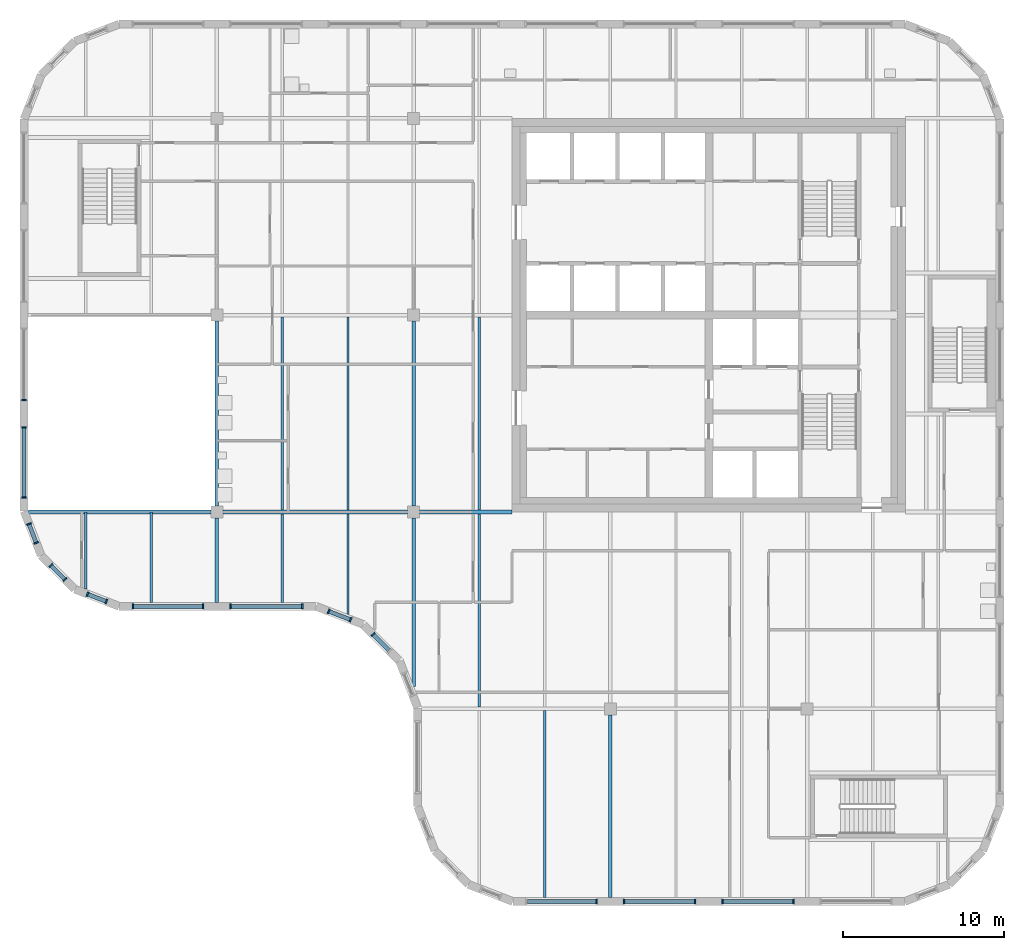
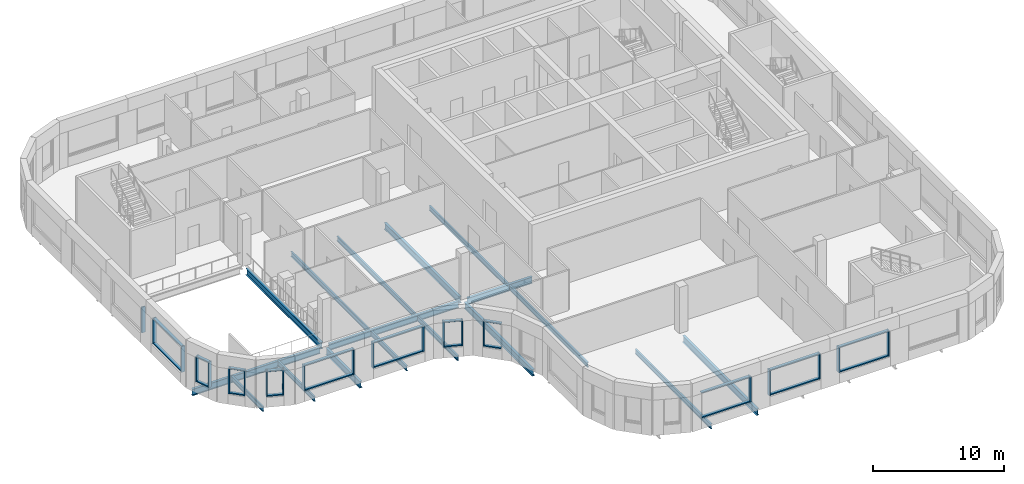
# One storey, part 2 of 21: 43 members, 17 beams, 12 elements without a shape of their own.
"""IFC4 building model written with IfcOpenShell, lengths in metres."""

from ifc_helpers import new_model, si_unit, direction, frame, origin, origin_2d, place, context, subcontext, project, spatial, rectangle, i_section, extrude, material, material_profile, profile_set, type_object, element, aggregate, save


model = new_model("IFC4")

# Units and contexts
model_context = context("Model", 3, precision=1e-05, world=origin(), true_north=direction((0.0, 1.0)))
body_context = subcontext(model_context, "Body", "Model", "MODEL_VIEW")
ifc_project = project(units=[si_unit("LENGTHUNIT", "METRE"), si_unit("AREAUNIT", "SQUARE_METRE"), si_unit("VOLUMEUNIT", "CUBIC_METRE"), si_unit("PLANEANGLEUNIT", "RADIAN"), si_unit("MASSUNIT", "GRAM", prefix="KILO")], contexts=[model_context])

# Site, building, storey
site_placement = place(None, origin())
site = spatial("IfcSite", under=ifc_project, at=site_placement, CompositionType="ELEMENT")
building_placement = place(site_placement, origin())
building = spatial("IfcBuilding", under=site, at=building_placement, Name="Tessera Gate Towers", CompositionType="ELEMENT")
storey_placement = place(building_placement, frame((0.0, 0.0, 193.39990234375)))
storey = spatial("IfcBuildingStorey", under=building, at=storey_placement, Name="L48", CompositionType="ELEMENT", Elevation=193.39990234375)

# Beams
ifc_material_1 = material(Name="Steel 350W", Category="steel")
ifc_material_profile_1 = material_profile(ifc_material_1, i_section(OverallWidth=0.22802734375, OverallDepth=0.60302734375, WebThickness=0.010498046875, FlangeThickness=0.014892578125, at=origin_2d()), Name="W610x101")
ifc_profile_set_1 = profile_set([ifc_material_profile_1], Name="Steel 350W")
beam_type_1 = type_object("IfcBeamType", Name="FLOOR GIRDER W610x101", PredefinedType="BEAM", material=ifc_profile_set_1)
beam_1_placement = place(storey_placement, frame((0.534912109375, 24.39990234375, -0.551513671875), z_axis=(1.0, 0.0, 0.0), x_axis=(0.0, 1.0, 0.0)))
element("IfcBeam", 1, at=beam_1_placement, inside=storey, type_object=beam_type_1, Name="T1-GD-L48-5111", PredefinedType="BEAM", context=body_context, shape_type="SweptSolid", body=[
    extrude(i_section(OverallWidth=0.22802734375, OverallDepth=0.60302734375, WebThickness=0.010498046875, FlangeThickness=0.014892578125, at=origin_2d()), origin(), (0.0, 0.0, 1.0), 11.2900390625),
])
beam_2_placement = place(storey_placement, frame((12.574951171875, 24.39990234375, -0.551513671875), z_axis=(1.0, 0.0, 0.0), x_axis=(0.0, 1.0, 0.0)))
element("IfcBeam", 2, at=beam_2_placement, inside=storey, type_object=beam_type_1, Name="T1-GD-L48-5112", PredefinedType="BEAM", context=body_context, shape_type="SweptSolid", body=[
    extrude(i_section(OverallWidth=0.22802734375, OverallDepth=0.60302734375, WebThickness=0.010498046875, FlangeThickness=0.014892578125, at=origin_2d()), origin(), (0.0, 0.0, 1.0), 11.449951171875),
])
beam_3_placement = place(storey_placement, frame((24.77490234375, 24.39990234375, -0.551513671875), z_axis=(1.0, 0.0, 0.0), x_axis=(0.0, 1.0, 0.0)))
element("IfcBeam", 3, at=beam_3_placement, inside=storey, type_object=beam_type_1, Name="T1-GD-L48-5113", PredefinedType="BEAM", context=body_context, shape_type="SweptSolid", body=[
    extrude(i_section(OverallWidth=0.22802734375, OverallDepth=0.60302734375, WebThickness=0.010498046875, FlangeThickness=0.014892578125, at=origin_2d()), origin(), (0.0, 0.0, 1.0), 5.72412109375),
])
beam_4_placement = place(storey_placement, frame((12.199951171875, 18.799072265625, -0.551513671875), z_axis=(0.0, 1.0, 0.0), x_axis=(-1.0, 0.0, 0.0)))
element("IfcBeam", 4, at=beam_4_placement, inside=storey, type_object=beam_type_1, Name="T1-GD-L48-5123", PredefinedType="BEAM", context=body_context, shape_type="SweptSolid", body=[
    extrude(i_section(OverallWidth=0.22802734375, OverallDepth=0.60302734375, WebThickness=0.010498046875, FlangeThickness=0.014892578125, at=origin_2d()), origin(), (0.0, 0.0, 1.0), 5.225830078125),
])
beam_5_placement = place(storey_placement, frame((12.199951171875, 24.77490234375, -0.551513671875), z_axis=(0.0, 1.0, 0.0), x_axis=(-1.0, 0.0, 0.0)))
element("IfcBeam", 5, at=beam_5_placement, inside=storey, type_object=beam_type_1, Name="T1-GD-L48-5124", PredefinedType="BEAM", context=body_context, shape_type="SweptSolid", body=[
    extrude(i_section(OverallWidth=0.22802734375, OverallDepth=0.60302734375, WebThickness=0.010498046875, FlangeThickness=0.014892578125, at=origin_2d()), origin(), (0.0, 0.0, 1.0), 11.4501953125),
])
beam_6_placement = place(storey_placement, frame((24.39990234375, 13.58642578125, -0.551513671875), z_axis=(0.0, 1.0, 0.0), x_axis=(-1.0, 0.0, 0.0)))
element("IfcBeam", 6, at=beam_6_placement, inside=storey, type_object=beam_type_1, Name="T1-GD-L48-5127", PredefinedType="BEAM", context=body_context, shape_type="SweptSolid", body=[
    extrude(i_section(OverallWidth=0.22802734375, OverallDepth=0.60302734375, WebThickness=0.010498046875, FlangeThickness=0.014892578125, at=origin_2d()), origin(), (0.0, 0.0, 1.0), 10.4384765625),
])
beam_7_placement = place(storey_placement, frame((24.39990234375, 24.77490234375, -0.551513671875), z_axis=(0.0, 1.0, 0.0), x_axis=(-1.0, 0.0, 0.0)))
element("IfcBeam", 7, at=beam_7_placement, inside=storey, type_object=beam_type_1, Name="T1-GD-L48-5128", PredefinedType="BEAM", context=body_context, shape_type="SweptSolid", body=[
    extrude(i_section(OverallWidth=0.22802734375, OverallDepth=0.60302734375, WebThickness=0.010498046875, FlangeThickness=0.014892578125, at=origin_2d()), origin(), (0.0, 0.0, 1.0), 11.4501953125),
])
beam_8_placement = place(storey_placement, frame((36.60009765625, 0.4990234375, -0.551513671875), z_axis=(0.0, 1.0, 0.0), x_axis=(-1.0, 0.0, 0.0)))
element("IfcBeam", 8, at=beam_8_placement, inside=storey, type_object=beam_type_1, Name="T1-GD-L48-5131", PredefinedType="BEAM", context=body_context, shape_type="SweptSolid", body=[
    extrude(i_section(OverallWidth=0.22802734375, OverallDepth=0.60302734375, WebThickness=0.010498046875, FlangeThickness=0.014892578125, at=origin_2d()), origin(), (0.0, 0.0, 1.0), 11.325927734375),
])
ifc_material_2 = material(Name="Steel 350W", Category="steel")
ifc_material_profile_2 = material_profile(ifc_material_2, i_section(OverallWidth=0.153076171875, OverallDepth=0.455078125, WebThickness=0.008056640625, FlangeThickness=0.01318359375, at=origin_2d()), Name="W460x60")
ifc_profile_set_2 = profile_set([ifc_material_profile_2], Name="Steel 350W")
beam_type_2 = type_object("IfcBeamType", Name="FLOOR SECONDARY W460x60", PredefinedType="BEAM", material=ifc_profile_set_2)
beam_9_placement = place(storey_placement, frame((4.066650390625, 19.620361328125, -0.477294921875), z_axis=(0.0, 1.0, 0.0), x_axis=(-1.0, 0.0, 0.0)))
element("IfcBeam", 9, at=beam_9_placement, inside=storey, type_object=beam_type_2, Name="T1-BM-L48-5142", PredefinedType="BEAM", context=body_context, shape_type="SweptSolid", body=[
    extrude(i_section(OverallWidth=0.153076171875, OverallDepth=0.455078125, WebThickness=0.008056640625, FlangeThickness=0.01318359375, at=origin_2d()), origin(), (0.0, 0.0, 1.0), 4.779541015625),
])
beam_10_placement = place(storey_placement, frame((8.13330078125, 18.800048828125, -0.477294921875), z_axis=(0.0, 1.0, 0.0), x_axis=(-1.0, 0.0, 0.0)))
element("IfcBeam", 10, at=beam_10_placement, inside=storey, type_object=beam_type_2, Name="T1-BM-L48-5145", PredefinedType="BEAM", context=body_context, shape_type="SweptSolid", body=[
    extrude(i_section(OverallWidth=0.153076171875, OverallDepth=0.455078125, WebThickness=0.008056640625, FlangeThickness=0.01318359375, at=origin_2d()), origin(), (0.0, 0.0, 1.0), 5.599853515625),
])
beam_11_placement = place(storey_placement, frame((16.2666015625, 18.800048828125, -0.477294921875), z_axis=(0.0, 1.0, 0.0), x_axis=(-1.0, 0.0, 0.0)))
element("IfcBeam", 11, at=beam_11_placement, inside=storey, type_object=beam_type_2, Name="T1-BM-L48-5148", PredefinedType="BEAM", context=body_context, shape_type="SweptSolid", body=[
    extrude(i_section(OverallWidth=0.153076171875, OverallDepth=0.455078125, WebThickness=0.008056640625, FlangeThickness=0.01318359375, at=origin_2d()), origin(), (0.0, 0.0, 1.0), 5.48583984375),
])
beam_12_placement = place(storey_placement, frame((16.2666015625, 24.513916015625, -0.477294921875), z_axis=(0.0, 1.0, 0.0), x_axis=(-1.0, 0.0, 0.0)))
element("IfcBeam", 12, at=beam_12_placement, inside=storey, type_object=beam_type_2, Name="T1-BM-L48-5149", PredefinedType="BEAM", context=body_context, shape_type="SweptSolid", body=[
    extrude(i_section(OverallWidth=0.153076171875, OverallDepth=0.455078125, WebThickness=0.008056640625, FlangeThickness=0.01318359375, at=origin_2d()), origin(), (0.0, 0.0, 1.0), 11.97216796875),
])
beam_13_placement = place(storey_placement, frame((20.333251953125, 18.051513671875, -0.477294921875), z_axis=(0.0, 1.0, 0.0), x_axis=(-1.0, 0.0, 0.0)))
element("IfcBeam", 13, at=beam_13_placement, inside=storey, type_object=beam_type_2, Name="T1-BM-L48-5152", PredefinedType="BEAM", context=body_context, shape_type="SweptSolid", body=[
    extrude(i_section(OverallWidth=0.153076171875, OverallDepth=0.455078125, WebThickness=0.008056640625, FlangeThickness=0.01318359375, at=origin_2d()), origin(), (0.0, 0.0, 1.0), 6.234375),
])
beam_14_placement = place(storey_placement, frame((20.333251953125, 24.513916015625, -0.477294921875), z_axis=(0.0, 1.0, 0.0), x_axis=(-1.0, 0.0, 0.0)))
element("IfcBeam", 14, at=beam_14_placement, inside=storey, type_object=beam_type_2, Name="T1-BM-L48-5153", PredefinedType="BEAM", context=body_context, shape_type="SweptSolid", body=[
    extrude(i_section(OverallWidth=0.153076171875, OverallDepth=0.455078125, WebThickness=0.008056640625, FlangeThickness=0.01318359375, at=origin_2d()), origin(), (0.0, 0.0, 1.0), 11.97216796875),
])
beam_15_placement = place(storey_placement, frame((28.466796875, 12.31396484375, -0.477294921875), z_axis=(0.0, 1.0, 0.0), x_axis=(-1.0, 0.0, 0.0)))
element("IfcBeam", 15, at=beam_15_placement, inside=storey, type_object=beam_type_2, Name="T1-BM-L48-5157", PredefinedType="BEAM", context=body_context, shape_type="SweptSolid", body=[
    extrude(i_section(OverallWidth=0.153076171875, OverallDepth=0.455078125, WebThickness=0.008056640625, FlangeThickness=0.01318359375, at=origin_2d()), origin(), (0.0, 0.0, 1.0), 11.971923828125),
])
beam_16_placement = place(storey_placement, frame((28.466796875, 24.513916015625, -0.477294921875), z_axis=(0.0, 1.0, 0.0), x_axis=(-1.0, 0.0, 0.0)))
element("IfcBeam", 16, at=beam_16_placement, inside=storey, type_object=beam_type_2, Name="T1-BM-L48-5158", PredefinedType="BEAM", context=body_context, shape_type="SweptSolid", body=[
    extrude(i_section(OverallWidth=0.153076171875, OverallDepth=0.455078125, WebThickness=0.008056640625, FlangeThickness=0.01318359375, at=origin_2d()), origin(), (0.0, 0.0, 1.0), 11.97216796875),
])
beam_17_placement = place(storey_placement, frame((32.533203125, 0.5, -0.477294921875), z_axis=(0.0, 1.0, 0.0), x_axis=(-1.0, 0.0, 0.0)))
element("IfcBeam", 17, at=beam_17_placement, inside=storey, type_object=beam_type_2, Name="T1-BM-L48-5161", PredefinedType="BEAM", context=body_context, shape_type="SweptSolid", body=[
    extrude(i_section(OverallWidth=0.153076171875, OverallDepth=0.455078125, WebThickness=0.008056640625, FlangeThickness=0.01318359375, at=origin_2d()), origin(), (0.0, 0.0, 1.0), 11.5859375),
])

# Curtain wall, member
ifc_material_3 = material(Name="Aluminium frame", Category="aluminium")
curtain_wall_type = type_object("IfcCurtainWallType", Name="CW-S3 amenity floor glazing", PredefinedType="NOTDEFINED", material=ifc_material_3)
curtain_wall_1_placement = place(storey_placement, origin())
curtain_wall_1 = element("IfcCurtainWall", 18, at=curtain_wall_1_placement, inside=storey, type_object=curtain_wall_type, Name="Curtain wall amenity floor glazing 0045", PredefinedType="NOTDEFINED")
ifc_material_4 = material(Name="Aluminium frame", Category="aluminium")
ifc_material_profile_3 = material_profile(ifc_material_4, rectangle(XDim=0.10009765625, YDim=0.300048828125, at=origin_2d()), Name="AL 100x300")
ifc_profile_set_3 = profile_set([ifc_material_profile_3], Name="Aluminium frame")
member_type_1 = type_object("IfcMemberType", Name="MU-S3 mullion 100x300", PredefinedType="MULLION", material=ifc_profile_set_3)
member_1_placement = place(storey_placement, frame((35.75, 0.25, 0.900146484375), z_axis=(0.0, 0.0, 1.0), x_axis=(1.0, 0.0, 0.0)))
member_1 = element("IfcMember", 19, at=member_1_placement, type_object=member_type_1, Name="T1-CW3-0045 mullion 2", PredefinedType="MULLION", context=body_context, shape_type="SweptSolid", body=[
    extrude(rectangle(XDim=0.10009765625, YDim=0.300048828125, at=origin_2d()), origin(), (0.0, 0.0, 1.0), 2.39990234375),
])

# Curtain wall, members
curtain_wall_2_placement = place(storey_placement, origin())
curtain_wall_2 = element("IfcCurtainWall", 20, at=curtain_wall_2_placement, inside=storey, type_object=curtain_wall_type, Name="Curtain wall amenity floor glazing 0046", PredefinedType="NOTDEFINED")
member_2_placement = place(storey_placement, frame((37.449951171875, 0.25, 0.900146484375), z_axis=(0.0, 0.0, 1.0), x_axis=(1.0, 0.0, 0.0)))
member_2 = element("IfcMember", 21, at=member_2_placement, type_object=member_type_1, Name="T1-CW3-0046 mullion 1", PredefinedType="MULLION", context=body_context, shape_type="SweptSolid", body=[
    extrude(rectangle(XDim=0.10009765625, YDim=0.300048828125, at=origin_2d()), origin(), (0.0, 0.0, 1.0), 2.39990234375),
])
member_3_placement = place(storey_placement, frame((41.85009765625, 0.25, 0.900146484375), z_axis=(0.0, 0.0, 1.0), x_axis=(1.0, 0.0, 0.0)))
member_3 = element("IfcMember", 22, at=member_3_placement, type_object=member_type_1, Name="T1-CW3-0046 mullion 2", PredefinedType="MULLION", context=body_context, shape_type="SweptSolid", body=[
    extrude(rectangle(XDim=0.10009765625, YDim=0.300048828125, at=origin_2d()), origin(), (0.0, 0.0, 1.0), 2.39990234375),
])

curtain_wall_3_placement = place(storey_placement, origin())
curtain_wall_3 = element("IfcCurtainWall", 23, at=curtain_wall_3_placement, inside=storey, type_object=curtain_wall_type, Name="Curtain wall amenity floor glazing 0047", PredefinedType="NOTDEFINED")
member_4_placement = place(storey_placement, frame((43.550048828125, 0.25, 0.900146484375), z_axis=(0.0, 0.0, 1.0), x_axis=(1.0, 0.0, 0.0)))
member_4 = element("IfcMember", 24, at=member_4_placement, type_object=member_type_1, Name="T1-CW3-0047 mullion 1", PredefinedType="MULLION", context=body_context, shape_type="SweptSolid", body=[
    extrude(rectangle(XDim=0.10009765625, YDim=0.300048828125, at=origin_2d()), origin(), (0.0, 0.0, 1.0), 2.39990234375),
])
member_5_placement = place(storey_placement, frame((47.949951171875, 0.25, 0.900146484375), z_axis=(0.0, 0.0, 1.0), x_axis=(1.0, 0.0, 0.0)))
member_5 = element("IfcMember", 25, at=member_5_placement, type_object=member_type_1, Name="T1-CW3-0047 mullion 2", PredefinedType="MULLION", context=body_context, shape_type="SweptSolid", body=[
    extrude(rectangle(XDim=0.10009765625, YDim=0.300048828125, at=origin_2d()), origin(), (0.0, 0.0, 1.0), 2.39990234375),
])

# Curtain wall, member
curtain_wall_4_placement = place(storey_placement, origin())
curtain_wall_4 = element("IfcCurtainWall", 26, at=curtain_wall_4_placement, inside=storey, type_object=curtain_wall_type, Name="Curtain wall amenity floor glazing 0075", PredefinedType="NOTDEFINED")
member_6_placement = place(storey_placement, frame((0.25, 31.35009765625, 0.900146484375), z_axis=(0.0, 0.0, 1.0), x_axis=(0.0, -1.0, 0.0)))
member_6 = element("IfcMember", 27, at=member_6_placement, type_object=member_type_1, Name="T1-CW3-0075 mullion 2", PredefinedType="MULLION", context=body_context, shape_type="SweptSolid", body=[
    extrude(rectangle(XDim=0.10009765625, YDim=0.300048828125, at=origin_2d()), origin(), (0.0, 0.0, 1.0), 2.39990234375),
])
aggregate(curtain_wall_4, [member_6])

# Curtain wall, members
curtain_wall_5_placement = place(storey_placement, origin())
curtain_wall_5 = element("IfcCurtainWall", 28, at=curtain_wall_5_placement, inside=storey, type_object=curtain_wall_type, Name="Curtain wall amenity floor glazing 0076", PredefinedType="NOTDEFINED")
member_7_placement = place(storey_placement, frame((0.25, 29.64990234375, 0.900146484375), z_axis=(0.0, 0.0, 1.0), x_axis=(0.0, -1.0, 0.0)))
member_7 = element("IfcMember", 29, at=member_7_placement, type_object=member_type_1, Name="T1-CW3-0076 mullion 1", PredefinedType="MULLION", context=body_context, shape_type="SweptSolid", body=[
    extrude(rectangle(XDim=0.10009765625, YDim=0.300048828125, at=origin_2d()), origin(), (0.0, 0.0, 1.0), 2.39990234375),
])
member_8_placement = place(storey_placement, frame((0.25, 25.296630859375, 0.900146484375), z_axis=(0.0, 0.0, 1.0), x_axis=(0.0, -1.0, 0.0)))
member_8 = element("IfcMember", 30, at=member_8_placement, type_object=member_type_1, Name="T1-CW3-0076 mullion 2", PredefinedType="MULLION", context=body_context, shape_type="SweptSolid", body=[
    extrude(rectangle(XDim=0.10009765625, YDim=0.300048828125, at=origin_2d()), origin(), (0.0, 0.0, 1.0), 2.39990234375),
])

curtain_wall_6_placement = place(storey_placement, origin())
curtain_wall_6 = element("IfcCurtainWall", 31, at=curtain_wall_6_placement, inside=storey, type_object=curtain_wall_type, Name="Curtain wall amenity floor glazing 0077", PredefinedType="NOTDEFINED")
member_9_placement = place(storey_placement, frame((0.555908203125, 23.653564453125, 0.900146484375), z_axis=(0.0, 0.0, 1.0), x_axis=(0.359904070394, -0.932989314041, 0.0)))
member_9 = element("IfcMember", 32, at=member_9_placement, type_object=member_type_1, Name="T1-CW3-0077 mullion 1", PredefinedType="MULLION", context=body_context, shape_type="SweptSolid", body=[
    extrude(rectangle(XDim=0.10009765625, YDim=0.300048828125, at=origin_2d()), origin(), (0.0, 0.0, 1.0), 2.39990234375),
])
member_10_placement = place(storey_placement, frame((1.006103515625, 22.48681640625, 0.900146484375), z_axis=(0.0, 0.0, 1.0), x_axis=(0.359904070394, -0.932989314041, 0.0)))
member_10 = element("IfcMember", 33, at=member_10_placement, type_object=member_type_1, Name="T1-CW3-0077 mullion 2", PredefinedType="MULLION", context=body_context, shape_type="SweptSolid", body=[
    extrude(rectangle(XDim=0.10009765625, YDim=0.300048828125, at=origin_2d()), origin(), (0.0, 0.0, 1.0), 2.39990234375),
])

curtain_wall_7_placement = place(storey_placement, origin())
curtain_wall_7 = element("IfcCurtainWall", 34, at=curtain_wall_7_placement, inside=storey, type_object=curtain_wall_type, Name="Curtain wall amenity floor glazing 0078", PredefinedType="NOTDEFINED")
member_11_placement = place(storey_placement, frame((1.912841796875, 21.0927734375, 0.900146484375), z_axis=(0.0, 0.0, 1.0), x_axis=(0.707106781187, -0.707106781187, 0.0)))
member_11 = element("IfcMember", 35, at=member_11_placement, type_object=member_type_1, Name="T1-CW3-0078 mullion 1", PredefinedType="MULLION", context=body_context, shape_type="SweptSolid", body=[
    extrude(rectangle(XDim=0.10009765625, YDim=0.300048828125, at=origin_2d()), origin(), (0.0, 0.0, 1.0), 2.39990234375),
])
member_12_placement = place(storey_placement, frame((2.792724609375, 20.212890625, 0.900146484375), z_axis=(0.0, 0.0, 1.0), x_axis=(0.707106781187, -0.707106781187, 0.0)))
member_12 = element("IfcMember", 36, at=member_12_placement, type_object=member_type_1, Name="T1-CW3-0078 mullion 2", PredefinedType="MULLION", context=body_context, shape_type="SweptSolid", body=[
    extrude(rectangle(XDim=0.10009765625, YDim=0.300048828125, at=origin_2d()), origin(), (0.0, 0.0, 1.0), 2.39990234375),
])

curtain_wall_8_placement = place(storey_placement, origin())
curtain_wall_8 = element("IfcCurtainWall", 37, at=curtain_wall_8_placement, inside=storey, type_object=curtain_wall_type, Name="Curtain wall amenity floor glazing 0079", PredefinedType="NOTDEFINED")
member_13_placement = place(storey_placement, frame((4.186767578125, 19.305908203125, 0.900146484375), z_axis=(0.0, 0.0, 1.0), x_axis=(0.932989314041, -0.359904070394, 0.0)))
member_13 = element("IfcMember", 38, at=member_13_placement, type_object=member_type_1, Name="T1-CW3-0079 mullion 1", PredefinedType="MULLION", context=body_context, shape_type="SweptSolid", body=[
    extrude(rectangle(XDim=0.10009765625, YDim=0.300048828125, at=origin_2d()), origin(), (0.0, 0.0, 1.0), 2.39990234375),
])
member_14_placement = place(storey_placement, frame((5.353515625, 18.85595703125, 0.900146484375), z_axis=(0.0, 0.0, 1.0), x_axis=(0.932989314041, -0.359904070394, 0.0)))
member_14 = element("IfcMember", 39, at=member_14_placement, type_object=member_type_1, Name="T1-CW3-0079 mullion 2", PredefinedType="MULLION", context=body_context, shape_type="SweptSolid", body=[
    extrude(rectangle(XDim=0.10009765625, YDim=0.300048828125, at=origin_2d()), origin(), (0.0, 0.0, 1.0), 2.39990234375),
])

curtain_wall_9_placement = place(storey_placement, origin())
curtain_wall_9 = element("IfcCurtainWall", 40, at=curtain_wall_9_placement, inside=storey, type_object=curtain_wall_type, Name="Curtain wall amenity floor glazing 0080", PredefinedType="NOTDEFINED")
member_15_placement = place(storey_placement, frame((6.99658203125, 18.550048828125, 0.900146484375), z_axis=(0.0, 0.0, 1.0), x_axis=(1.0, 0.0, 0.0)))
member_15 = element("IfcMember", 41, at=member_15_placement, type_object=member_type_1, Name="T1-CW3-0080 mullion 1", PredefinedType="MULLION", context=body_context, shape_type="SweptSolid", body=[
    extrude(rectangle(XDim=0.10009765625, YDim=0.300048828125, at=origin_2d()), origin(), (0.0, 0.0, 1.0), 2.39990234375),
])
member_16_placement = place(storey_placement, frame((11.35009765625, 18.550048828125, 0.900146484375), z_axis=(0.0, 0.0, 1.0), x_axis=(1.0, 0.0, 0.0)))
member_16 = element("IfcMember", 42, at=member_16_placement, type_object=member_type_1, Name="T1-CW3-0080 mullion 2", PredefinedType="MULLION", context=body_context, shape_type="SweptSolid", body=[
    extrude(rectangle(XDim=0.10009765625, YDim=0.300048828125, at=origin_2d()), origin(), (0.0, 0.0, 1.0), 2.39990234375),
])

curtain_wall_10_placement = place(storey_placement, origin())
curtain_wall_10 = element("IfcCurtainWall", 43, at=curtain_wall_10_placement, inside=storey, type_object=curtain_wall_type, Name="Curtain wall amenity floor glazing 0081", PredefinedType="NOTDEFINED")
member_17_placement = place(storey_placement, frame((13.050048828125, 18.550048828125, 0.900146484375), z_axis=(0.0, 0.0, 1.0), x_axis=(1.0, 0.0, 0.0)))
member_17 = element("IfcMember", 44, at=member_17_placement, type_object=member_type_1, Name="T1-CW3-0081 mullion 1", PredefinedType="MULLION", context=body_context, shape_type="SweptSolid", body=[
    extrude(rectangle(XDim=0.10009765625, YDim=0.300048828125, at=origin_2d()), origin(), (0.0, 0.0, 1.0), 2.39990234375),
])
member_18_placement = place(storey_placement, frame((17.49658203125, 18.550048828125, 0.900146484375), z_axis=(0.0, 0.0, 1.0), x_axis=(1.0, 0.0, 0.0)))
member_18 = element("IfcMember", 45, at=member_18_placement, type_object=member_type_1, Name="T1-CW3-0081 mullion 2", PredefinedType="MULLION", context=body_context, shape_type="SweptSolid", body=[
    extrude(rectangle(XDim=0.10009765625, YDim=0.300048828125, at=origin_2d()), origin(), (0.0, 0.0, 1.0), 2.39990234375),
])

curtain_wall_11_placement = place(storey_placement, origin())
curtain_wall_11 = element("IfcCurtainWall", 46, at=curtain_wall_11_placement, inside=storey, type_object=curtain_wall_type, Name="Curtain wall amenity floor glazing 0082", PredefinedType="NOTDEFINED")
member_19_placement = place(storey_placement, frame((19.1396484375, 18.244140625, 0.900146484375), z_axis=(0.0, 0.0, 1.0), x_axis=(0.932989451109, -0.359903715066, 0.0)))
member_19 = element("IfcMember", 47, at=member_19_placement, type_object=member_type_1, Name="T1-CW3-0082 mullion 1", PredefinedType="MULLION", context=body_context, shape_type="SweptSolid", body=[
    extrude(rectangle(XDim=0.10009765625, YDim=0.300048828125, at=origin_2d()), origin(), (0.0, 0.0, 1.0), 2.39990234375),
])
member_20_placement = place(storey_placement, frame((20.491943359375, 17.722412109375, 0.900146484375), z_axis=(0.0, 0.0, 1.0), x_axis=(0.932989451109, -0.359903715066, 0.0)))
member_20 = element("IfcMember", 48, at=member_20_placement, type_object=member_type_1, Name="T1-CW3-0082 mullion 2", PredefinedType="MULLION", context=body_context, shape_type="SweptSolid", body=[
    extrude(rectangle(XDim=0.10009765625, YDim=0.300048828125, at=origin_2d()), origin(), (0.0, 0.0, 1.0), 2.39990234375),
])

# Curtain wall, member
curtain_wall_12_placement = place(storey_placement, origin())
curtain_wall_12 = element("IfcCurtainWall", 49, at=curtain_wall_12_placement, inside=storey, type_object=curtain_wall_type, Name="Curtain wall amenity floor glazing 0083", PredefinedType="NOTDEFINED")
member_21_placement = place(storey_placement, frame((21.885986328125, 16.8154296875, 0.900146484375), z_axis=(0.0, 0.0, 1.0), x_axis=(0.707106781187, -0.707106781187, 0.0)))
member_21 = element("IfcMember", 50, at=member_21_placement, type_object=member_type_1, Name="T1-CW3-0083 mullion 1", PredefinedType="MULLION", context=body_context, shape_type="SweptSolid", body=[
    extrude(rectangle(XDim=0.10009765625, YDim=0.300048828125, at=origin_2d()), origin(), (0.0, 0.0, 1.0), 2.39990234375),
])

# Member
ifc_material_5 = material(Name="Aluminium frame", Category="aluminium")
ifc_material_profile_4 = material_profile(ifc_material_5, rectangle(XDim=0.25, YDim=0.10009765625, at=origin_2d()), Name="AL 100x250")
ifc_profile_set_4 = profile_set([ifc_material_profile_4], Name="Aluminium frame")
member_type_2 = type_object("IfcMemberType", Name="TR-S3 transom 100x250", PredefinedType="USERDEFINED", material=ifc_profile_set_4)
member_22_placement = place(storey_placement, frame((31.446533203125, 0.25, 0.9501953125), z_axis=(1.0, 0.0, 0.0), x_axis=(0.0, 1.0, 0.0)))
member_22 = element("IfcMember", 51, at=member_22_placement, type_object=member_type_2, Name="T1-CW3-0045 transom 1.1", ObjectType="TRANSOM", PredefinedType="USERDEFINED", context=body_context, shape_type="SweptSolid", body=[
    extrude(rectangle(XDim=0.25, YDim=0.10009765625, at=origin_2d()), origin(), (0.0, 0.0, 1.0), 4.25341796875),
])

member_23_placement = place(storey_placement, frame((31.446533203125, 0.25, 3.25), z_axis=(1.0, 0.0, 0.0), x_axis=(0.0, 1.0, 0.0)))
member_23 = element("IfcMember", 52, at=member_23_placement, type_object=member_type_2, Name="T1-CW3-0045 transom 1.2", ObjectType="TRANSOM", PredefinedType="USERDEFINED", context=body_context, shape_type="SweptSolid", body=[
    extrude(rectangle(XDim=0.25, YDim=0.10009765625, at=origin_2d()), origin(), (0.0, 0.0, 1.0), 4.25341796875),
])

aggregate(curtain_wall_1, [member_1, member_22, member_23])

member_24_placement = place(storey_placement, frame((37.5, 0.25, 0.9501953125), z_axis=(1.0, 0.0, 0.0), x_axis=(0.0, 1.0, 0.0)))
member_24 = element("IfcMember", 53, at=member_24_placement, type_object=member_type_2, Name="T1-CW3-0046 transom 1.1", ObjectType="TRANSOM", PredefinedType="USERDEFINED", context=body_context, shape_type="SweptSolid", body=[
    extrude(rectangle(XDim=0.25, YDim=0.10009765625, at=origin_2d()), origin(), (0.0, 0.0, 1.0), 4.300048828125),
])

member_25_placement = place(storey_placement, frame((37.5, 0.25, 3.25), z_axis=(1.0, 0.0, 0.0), x_axis=(0.0, 1.0, 0.0)))
member_25 = element("IfcMember", 54, at=member_25_placement, type_object=member_type_2, Name="T1-CW3-0046 transom 1.2", ObjectType="TRANSOM", PredefinedType="USERDEFINED", context=body_context, shape_type="SweptSolid", body=[
    extrude(rectangle(XDim=0.25, YDim=0.10009765625, at=origin_2d()), origin(), (0.0, 0.0, 1.0), 4.300048828125),
])

aggregate(curtain_wall_2, [member_2, member_3, member_24, member_25])

member_26_placement = place(storey_placement, frame((43.60009765625, 0.25, 0.9501953125), z_axis=(1.0, 0.0, 0.0), x_axis=(0.0, 1.0, 0.0)))
member_26 = element("IfcMember", 55, at=member_26_placement, type_object=member_type_2, Name="T1-CW3-0047 transom 1.1", ObjectType="TRANSOM", PredefinedType="USERDEFINED", context=body_context, shape_type="SweptSolid", body=[
    extrude(rectangle(XDim=0.25, YDim=0.10009765625, at=origin_2d()), origin(), (0.0, 0.0, 1.0), 4.2998046875),
])

member_27_placement = place(storey_placement, frame((43.60009765625, 0.25, 3.25), z_axis=(1.0, 0.0, 0.0), x_axis=(0.0, 1.0, 0.0)))
member_27 = element("IfcMember", 56, at=member_27_placement, type_object=member_type_2, Name="T1-CW3-0047 transom 1.2", ObjectType="TRANSOM", PredefinedType="USERDEFINED", context=body_context, shape_type="SweptSolid", body=[
    extrude(rectangle(XDim=0.25, YDim=0.10009765625, at=origin_2d()), origin(), (0.0, 0.0, 1.0), 4.2998046875),
])

aggregate(curtain_wall_3, [member_4, member_5, member_26, member_27])

member_28_placement = place(storey_placement, frame((0.25, 29.60009765625, 0.9501953125), z_axis=(0.0, -1.0, 0.0), x_axis=(1.0, 0.0, 0.0)))
member_28 = element("IfcMember", 57, at=member_28_placement, type_object=member_type_2, Name="T1-CW3-0076 transom 1.1", ObjectType="TRANSOM", PredefinedType="USERDEFINED", context=body_context, shape_type="SweptSolid", body=[
    extrude(rectangle(XDim=0.25, YDim=0.10009765625, at=origin_2d()), origin(), (0.0, 0.0, 1.0), 4.253662109375),
])

member_29_placement = place(storey_placement, frame((0.25, 29.60009765625, 3.25), z_axis=(0.0, -1.0, 0.0), x_axis=(1.0, 0.0, 0.0)))
member_29 = element("IfcMember", 58, at=member_29_placement, type_object=member_type_2, Name="T1-CW3-0076 transom 1.2", ObjectType="TRANSOM", PredefinedType="USERDEFINED", context=body_context, shape_type="SweptSolid", body=[
    extrude(rectangle(XDim=0.25, YDim=0.10009765625, at=origin_2d()), origin(), (0.0, 0.0, 1.0), 4.253662109375),
])

aggregate(curtain_wall_5, [member_7, member_8, member_28, member_29])

member_30_placement = place(storey_placement, frame((0.573974609375, 23.60693359375, 0.9501953125), z_axis=(0.359874706938, -0.933000640571, 0.0), x_axis=(0.933000640571, 0.359874706938, 0.0)))
member_30 = element("IfcMember", 59, at=member_30_placement, type_object=member_type_2, Name="T1-CW3-0077 transom 1.1", ObjectType="TRANSOM", PredefinedType="USERDEFINED", context=body_context, shape_type="SweptSolid", body=[
    extrude(rectangle(XDim=0.25, YDim=0.10009765625, at=origin_2d()), origin(), (0.0, 0.0, 1.0), 1.150634765625),
])

member_31_placement = place(storey_placement, frame((0.573974609375, 23.60693359375, 3.25), z_axis=(0.359874706938, -0.933000640571, 0.0), x_axis=(0.933000640571, 0.359874706938, 0.0)))
member_31 = element("IfcMember", 60, at=member_31_placement, type_object=member_type_2, Name="T1-CW3-0077 transom 1.2", ObjectType="TRANSOM", PredefinedType="USERDEFINED", context=body_context, shape_type="SweptSolid", body=[
    extrude(rectangle(XDim=0.25, YDim=0.10009765625, at=origin_2d()), origin(), (0.0, 0.0, 1.0), 1.150634765625),
])

aggregate(curtain_wall_6, [member_9, member_10, member_30, member_31])

member_32_placement = place(storey_placement, frame((1.9482421875, 21.057373046875, 0.9501953125), z_axis=(0.707106781187, -0.707106781187, 0.0), x_axis=(0.707106781187, 0.707106781187, 0.0)))
member_32 = element("IfcMember", 61, at=member_32_placement, type_object=member_type_2, Name="T1-CW3-0078 transom 1.1", ObjectType="TRANSOM", PredefinedType="USERDEFINED", context=body_context, shape_type="SweptSolid", body=[
    extrude(rectangle(XDim=0.25, YDim=0.10009765625, at=origin_2d()), origin(), (0.0, 0.0, 1.0), 1.144287109375),
])

member_33_placement = place(storey_placement, frame((1.9482421875, 21.057373046875, 3.25), z_axis=(0.707106781187, -0.707106781187, 0.0), x_axis=(0.707106781187, 0.707106781187, 0.0)))
member_33 = element("IfcMember", 62, at=member_33_placement, type_object=member_type_2, Name="T1-CW3-0078 transom 1.2", ObjectType="TRANSOM", PredefinedType="USERDEFINED", context=body_context, shape_type="SweptSolid", body=[
    extrude(rectangle(XDim=0.25, YDim=0.10009765625, at=origin_2d()), origin(), (0.0, 0.0, 1.0), 1.144287109375),
])

aggregate(curtain_wall_7, [member_11, member_12, member_32, member_33])

member_34_placement = place(storey_placement, frame((4.2333984375, 19.2880859375, 0.9501953125), z_axis=(0.933000640571, -0.359874706938, 0.0), x_axis=(0.359874706938, 0.933000640571, 0.0)))
member_34 = element("IfcMember", 63, at=member_34_placement, type_object=member_type_2, Name="T1-CW3-0079 transom 1.1", ObjectType="TRANSOM", PredefinedType="USERDEFINED", context=body_context, shape_type="SweptSolid", body=[
    extrude(rectangle(XDim=0.25, YDim=0.10009765625, at=origin_2d()), origin(), (0.0, 0.0, 1.0), 1.150634765625),
])

member_35_placement = place(storey_placement, frame((4.2333984375, 19.2880859375, 3.25), z_axis=(0.933000640571, -0.359874706938, 0.0), x_axis=(0.359874706938, 0.933000640571, 0.0)))
member_35 = element("IfcMember", 64, at=member_35_placement, type_object=member_type_2, Name="T1-CW3-0079 transom 1.2", ObjectType="TRANSOM", PredefinedType="USERDEFINED", context=body_context, shape_type="SweptSolid", body=[
    extrude(rectangle(XDim=0.25, YDim=0.10009765625, at=origin_2d()), origin(), (0.0, 0.0, 1.0), 1.150634765625),
])

aggregate(curtain_wall_8, [member_13, member_14, member_34, member_35])

member_36_placement = place(storey_placement, frame((7.046630859375, 18.550048828125, 0.9501953125), z_axis=(1.0, 0.0, 0.0), x_axis=(0.0, 1.0, 0.0)))
member_36 = element("IfcMember", 65, at=member_36_placement, type_object=member_type_2, Name="T1-CW3-0080 transom 1.1", ObjectType="TRANSOM", PredefinedType="USERDEFINED", context=body_context, shape_type="SweptSolid", body=[
    extrude(rectangle(XDim=0.25, YDim=0.10009765625, at=origin_2d()), origin(), (0.0, 0.0, 1.0), 4.25341796875),
])

member_37_placement = place(storey_placement, frame((7.046630859375, 18.550048828125, 3.25), z_axis=(1.0, 0.0, 0.0), x_axis=(0.0, 1.0, 0.0)))
member_37 = element("IfcMember", 66, at=member_37_placement, type_object=member_type_2, Name="T1-CW3-0080 transom 1.2", ObjectType="TRANSOM", PredefinedType="USERDEFINED", context=body_context, shape_type="SweptSolid", body=[
    extrude(rectangle(XDim=0.25, YDim=0.10009765625, at=origin_2d()), origin(), (0.0, 0.0, 1.0), 4.25341796875),
])

aggregate(curtain_wall_9, [member_15, member_16, member_36, member_37])

member_38_placement = place(storey_placement, frame((13.10009765625, 18.550048828125, 0.9501953125), z_axis=(1.0, 0.0, 0.0), x_axis=(0.0, 1.0, 0.0)))
member_38 = element("IfcMember", 67, at=member_38_placement, type_object=member_type_2, Name="T1-CW3-0081 transom 1.1", ObjectType="TRANSOM", PredefinedType="USERDEFINED", context=body_context, shape_type="SweptSolid", body=[
    extrude(rectangle(XDim=0.25, YDim=0.10009765625, at=origin_2d()), origin(), (0.0, 0.0, 1.0), 4.346435546875),
])

member_39_placement = place(storey_placement, frame((13.10009765625, 18.550048828125, 3.25), z_axis=(1.0, 0.0, 0.0), x_axis=(0.0, 1.0, 0.0)))
member_39 = element("IfcMember", 68, at=member_39_placement, type_object=member_type_2, Name="T1-CW3-0081 transom 1.2", ObjectType="TRANSOM", PredefinedType="USERDEFINED", context=body_context, shape_type="SweptSolid", body=[
    extrude(rectangle(XDim=0.25, YDim=0.10009765625, at=origin_2d()), origin(), (0.0, 0.0, 1.0), 4.346435546875),
])

aggregate(curtain_wall_10, [member_17, member_18, member_38, member_39])

member_40_placement = place(storey_placement, frame((19.186279296875, 18.22607421875, 0.9501953125), z_axis=(0.933009468377, -0.359851819391, 0.0), x_axis=(0.359851819391, 0.933009468377, 0.0)))
member_40 = element("IfcMember", 69, at=member_40_placement, type_object=member_type_2, Name="T1-CW3-0082 transom 1.1", ObjectType="TRANSOM", PredefinedType="USERDEFINED", context=body_context, shape_type="SweptSolid", body=[
    extrude(rectangle(XDim=0.25, YDim=0.10009765625, at=origin_2d()), origin(), (0.0, 0.0, 1.0), 1.349365234375),
])

member_41_placement = place(storey_placement, frame((19.186279296875, 18.22607421875, 3.25), z_axis=(0.933009468377, -0.359851819391, 0.0), x_axis=(0.359851819391, 0.933009468377, 0.0)))
member_41 = element("IfcMember", 70, at=member_41_placement, type_object=member_type_2, Name="T1-CW3-0082 transom 1.2", ObjectType="TRANSOM", PredefinedType="USERDEFINED", context=body_context, shape_type="SweptSolid", body=[
    extrude(rectangle(XDim=0.25, YDim=0.10009765625, at=origin_2d()), origin(), (0.0, 0.0, 1.0), 1.349365234375),
])

aggregate(curtain_wall_11, [member_19, member_20, member_40, member_41])

member_42_placement = place(storey_placement, frame((21.92138671875, 16.780029296875, 0.9501953125), z_axis=(0.707106781187, -0.707106781187, 0.0), x_axis=(0.707106781187, 0.707106781187, 0.0)))
member_42 = element("IfcMember", 71, at=member_42_placement, type_object=member_type_2, Name="T1-CW3-0083 transom 1.1", ObjectType="TRANSOM", PredefinedType="USERDEFINED", context=body_context, shape_type="SweptSolid", body=[
    extrude(rectangle(XDim=0.25, YDim=0.10009765625, at=origin_2d()), origin(), (0.0, 0.0, 1.0), 1.35595703125),
])

member_43_placement = place(storey_placement, frame((21.92138671875, 16.780029296875, 3.25), z_axis=(0.707106781187, -0.707106781187, 0.0), x_axis=(0.707106781187, 0.707106781187, 0.0)))
member_43 = element("IfcMember", 72, at=member_43_placement, type_object=member_type_2, Name="T1-CW3-0083 transom 1.2", ObjectType="TRANSOM", PredefinedType="USERDEFINED", context=body_context, shape_type="SweptSolid", body=[
    extrude(rectangle(XDim=0.25, YDim=0.10009765625, at=origin_2d()), origin(), (0.0, 0.0, 1.0), 1.35595703125),
])

aggregate(curtain_wall_12, [member_21, member_42, member_43])

save(model, "model.ifc")
